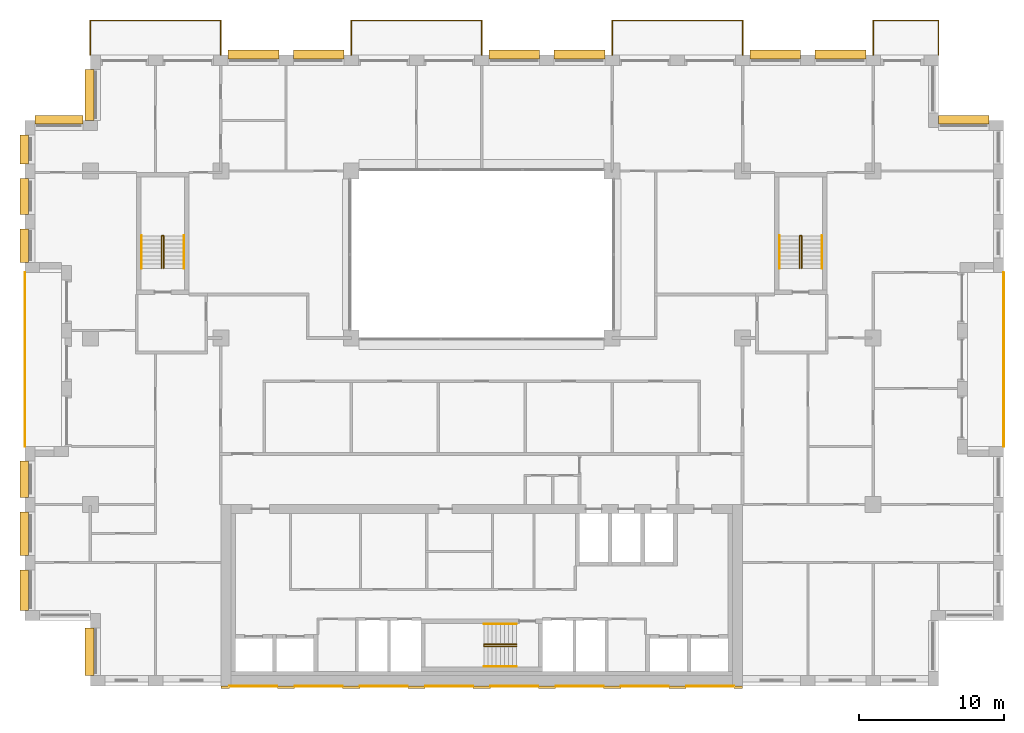
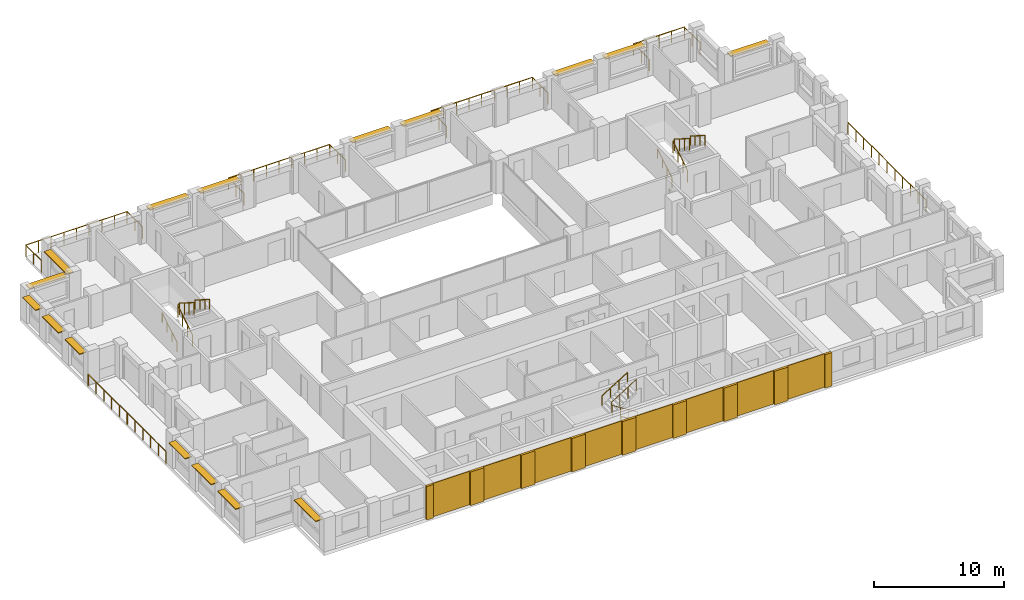
# One storey, part 15 of 15: 17 coverings, 16 shading devices, 15 railings.
"""IFC4 building model written with IfcOpenShell, lengths in metres."""

from ifc_helpers import new_model, si_unit, direction, frame, origin, origin_2d, place, context, subcontext, project, spatial, rectangle, circle, extrude, material, layer, layer_set, type_object, element, save


model = new_model("IFC4")

# Units and contexts
model_context = context("Model", 3, precision=1e-05, world=origin(), true_north=direction((0.0, 1.0)))
body_context = subcontext(model_context, "Body", "Model", "MODEL_VIEW")
ifc_project = project(units=[si_unit("LENGTHUNIT", "METRE"), si_unit("AREAUNIT", "SQUARE_METRE"), si_unit("VOLUMEUNIT", "CUBIC_METRE"), si_unit("PLANEANGLEUNIT", "RADIAN"), si_unit("MASSUNIT", "GRAM", prefix="KILO")], contexts=[model_context])

# Site, building, storey
site_placement = place(None, origin())
site = spatial("IfcSite", under=ifc_project, at=site_placement, CompositionType="ELEMENT")
building_placement = place(site_placement, origin())
building = spatial("IfcBuilding", under=site, at=building_placement, Name="Brigalow Station Residences", CompositionType="ELEMENT")
storey_placement = place(building_placement, frame((0.0, 0.0, 147.60009765625)))
storey = spatial("IfcBuildingStorey", under=building, at=storey_placement, Name="L42", CompositionType="ELEMENT", Elevation=147.60009765625)

# Railings
ifc_material_1 = material(Name="Stainless steel balustrade with laminated glass infill", Category="steel")
railing_type_1 = type_object("IfcRailingType", Name="BALCONY GUARD 1100", PredefinedType="GUARDRAIL", material=ifc_material_1)
railing_1_placement = place(storey_placement, frame((72.0, 16.5, -0.0400390625)))
element("IfcRailing", 1, at=railing_1_placement, inside=storey, type_object=railing_type_1, Name="L42/balcony-guard/1", PredefinedType="GUARDRAIL", context=body_context, shape_type="SweptSolid", body=[
    extrude(circle(Radius=0.02392578125, at=origin_2d()), frame((0.0, 0.0, 1.076171875), z_axis=(0.0, 1.0, 0.0), x_axis=(-1.0, 0.0, 0.0)), (0.0, 0.0, 1.0), 12.0),
    extrude(circle(Radius=0.02099609375, at=origin_2d()), origin(), (0.0, 0.0, 1.0), 1.052001953125),
    extrude(circle(Radius=0.02099609375, at=origin_2d()), frame((0.0, 1.199951171875, 0.0)), (0.0, 0.0, 1.0), 1.052001953125),
    extrude(circle(Radius=0.02099609375, at=origin_2d()), frame((0.0, 2.39990234375, 0.0)), (0.0, 0.0, 1.0), 1.052001953125),
    extrude(circle(Radius=0.02099609375, at=origin_2d()), frame((0.0, 3.60009765625, 0.0)), (0.0, 0.0, 1.0), 1.052001953125),
    extrude(circle(Radius=0.02099609375, at=origin_2d()), frame((0.0, 4.800048828125, 0.0)), (0.0, 0.0, 1.0), 1.052001953125),
    extrude(circle(Radius=0.02099609375, at=origin_2d()), frame((0.0, 6.0, 0.0)), (0.0, 0.0, 1.0), 1.052001953125),
    extrude(circle(Radius=0.02099609375, at=origin_2d()), frame((0.0, 7.199951171875, 0.0)), (0.0, 0.0, 1.0), 1.052001953125),
    extrude(circle(Radius=0.02099609375, at=origin_2d()), frame((0.0, 8.39990234375, 0.0)), (0.0, 0.0, 1.0), 1.052001953125),
    extrude(circle(Radius=0.02099609375, at=origin_2d()), frame((0.0, 9.60009765625, 0.0)), (0.0, 0.0, 1.0), 1.052001953125),
    extrude(circle(Radius=0.02099609375, at=origin_2d()), frame((0.0, 10.800048828125, 0.0)), (0.0, 0.0, 1.0), 1.052001953125),
    extrude(circle(Radius=0.02099609375, at=origin_2d()), frame((0.0, 12.0, 0.0)), (0.0, 0.0, 1.0), 1.052001953125),
])
railing_2_placement = place(storey_placement, frame((67.5, 43.5, -0.0400390625)))
element("IfcRailing", 2, at=railing_2_placement, inside=storey, type_object=railing_type_1, Name="L42/balcony-guard/2", PredefinedType="GUARDRAIL", context=body_context, shape_type="SweptSolid", body=[
    extrude(circle(Radius=0.02392578125, at=origin_2d()), frame((0.0, 0.0, 1.076171875), z_axis=(0.0, 1.0, 0.0), x_axis=(-1.0, 0.0, 0.0)), (0.0, 0.0, 1.0), 2.39990234375),
    extrude(circle(Radius=0.02392578125, at=origin_2d()), frame((0.0, 2.39990234375, 1.076171875), z_axis=(-1.0, 0.0, 0.0), x_axis=(0.0, -1.0, 0.0)), (0.0, 0.0, 1.0), 4.5),
    extrude(circle(Radius=0.02392578125, at=origin_2d()), frame((-4.5, 2.39990234375, 1.076171875), z_axis=(0.0, -1.0, 0.0), x_axis=(1.0, 0.0, 0.0)), (0.0, 0.0, 1.0), 2.39990234375),
    extrude(circle(Radius=0.02099609375, at=origin_2d()), origin(), (0.0, 0.0, 1.0), 1.052001953125),
    extrude(circle(Radius=0.02099609375, at=origin_2d()), frame((0.0, 1.199951171875, 0.0)), (0.0, 0.0, 1.0), 1.052001953125),
    extrude(circle(Radius=0.02099609375, at=origin_2d()), frame((0.0, 2.39990234375, 0.0)), (0.0, 0.0, 1.0), 1.052001953125),
    extrude(circle(Radius=0.02099609375, at=origin_2d()), frame((-1.125, 2.39990234375, 0.0)), (0.0, 0.0, 1.0), 1.052001953125),
    extrude(circle(Radius=0.02099609375, at=origin_2d()), frame((-2.25, 2.39990234375, 0.0)), (0.0, 0.0, 1.0), 1.052001953125),
    extrude(circle(Radius=0.02099609375, at=origin_2d()), frame((-3.375, 2.39990234375, 0.0)), (0.0, 0.0, 1.0), 1.052001953125),
    extrude(circle(Radius=0.02099609375, at=origin_2d()), frame((-4.5, 2.39990234375, 0.0)), (0.0, 0.0, 1.0), 1.052001953125),
    extrude(circle(Radius=0.02099609375, at=origin_2d()), frame((-4.5, 1.199951171875, 0.0)), (0.0, 0.0, 1.0), 1.052001953125),
    extrude(circle(Radius=0.02099609375, at=origin_2d()), frame((-4.5, 0.0, 0.0)), (0.0, 0.0, 1.0), 1.052001953125),
])
railing_3_placement = place(storey_placement, frame((54.0, 43.5, -0.0400390625)))
element("IfcRailing", 3, at=railing_3_placement, inside=storey, type_object=railing_type_1, Name="L42/balcony-guard/3", PredefinedType="GUARDRAIL", context=body_context, shape_type="SweptSolid", body=[
    extrude(circle(Radius=0.02392578125, at=origin_2d()), frame((0.0, 0.0, 1.076171875), z_axis=(0.0, 1.0, 0.0), x_axis=(-1.0, 0.0, 0.0)), (0.0, 0.0, 1.0), 2.39990234375),
    extrude(circle(Radius=0.02392578125, at=origin_2d()), frame((0.0, 2.39990234375, 1.076171875), z_axis=(-1.0, 0.0, 0.0), x_axis=(0.0, -1.0, 0.0)), (0.0, 0.0, 1.0), 9.0),
    extrude(circle(Radius=0.02392578125, at=origin_2d()), frame((-9.0, 2.39990234375, 1.076171875), z_axis=(0.0, -1.0, 0.0), x_axis=(1.0, 0.0, 0.0)), (0.0, 0.0, 1.0), 2.39990234375),
    extrude(circle(Radius=0.02099609375, at=origin_2d()), origin(), (0.0, 0.0, 1.0), 1.052001953125),
    extrude(circle(Radius=0.02099609375, at=origin_2d()), frame((0.0, 1.199951171875, 0.0)), (0.0, 0.0, 1.0), 1.052001953125),
    extrude(circle(Radius=0.02099609375, at=origin_2d()), frame((0.0, 2.39990234375, 0.0)), (0.0, 0.0, 1.0), 1.052001953125),
    extrude(circle(Radius=0.02099609375, at=origin_2d()), frame((-1.125, 2.39990234375, 0.0)), (0.0, 0.0, 1.0), 1.052001953125),
    extrude(circle(Radius=0.02099609375, at=origin_2d()), frame((-2.25, 2.39990234375, 0.0)), (0.0, 0.0, 1.0), 1.052001953125),
    extrude(circle(Radius=0.02099609375, at=origin_2d()), frame((-3.375, 2.39990234375, 0.0)), (0.0, 0.0, 1.0), 1.052001953125),
    extrude(circle(Radius=0.02099609375, at=origin_2d()), frame((-4.5, 2.39990234375, 0.0)), (0.0, 0.0, 1.0), 1.052001953125),
    extrude(circle(Radius=0.02099609375, at=origin_2d()), frame((-5.625, 2.39990234375, 0.0)), (0.0, 0.0, 1.0), 1.052001953125),
    extrude(circle(Radius=0.02099609375, at=origin_2d()), frame((-6.75, 2.39990234375, 0.0)), (0.0, 0.0, 1.0), 1.052001953125),
    extrude(circle(Radius=0.02099609375, at=origin_2d()), frame((-7.875, 2.39990234375, 0.0)), (0.0, 0.0, 1.0), 1.052001953125),
    extrude(circle(Radius=0.02099609375, at=origin_2d()), frame((-9.0, 2.39990234375, 0.0)), (0.0, 0.0, 1.0), 1.052001953125),
    extrude(circle(Radius=0.02099609375, at=origin_2d()), frame((-9.0, 1.199951171875, 0.0)), (0.0, 0.0, 1.0), 1.052001953125),
    extrude(circle(Radius=0.02099609375, at=origin_2d()), frame((-9.0, 0.0, 0.0)), (0.0, 0.0, 1.0), 1.052001953125),
])
railing_4_placement = place(storey_placement, frame((36.0, 43.5, -0.0400390625)))
element("IfcRailing", 4, at=railing_4_placement, inside=storey, type_object=railing_type_1, Name="L42/balcony-guard/4", PredefinedType="GUARDRAIL", context=body_context, shape_type="SweptSolid", body=[
    extrude(circle(Radius=0.02392578125, at=origin_2d()), frame((0.0, 0.0, 1.076171875), z_axis=(0.0, 1.0, 0.0), x_axis=(-1.0, 0.0, 0.0)), (0.0, 0.0, 1.0), 2.39990234375),
    extrude(circle(Radius=0.02392578125, at=origin_2d()), frame((0.0, 2.39990234375, 1.076171875), z_axis=(-1.0, 0.0, 0.0), x_axis=(0.0, -1.0, 0.0)), (0.0, 0.0, 1.0), 9.0),
    extrude(circle(Radius=0.02392578125, at=origin_2d()), frame((-9.0, 2.39990234375, 1.076171875), z_axis=(0.0, -1.0, 0.0), x_axis=(1.0, 0.0, 0.0)), (0.0, 0.0, 1.0), 2.39990234375),
    extrude(circle(Radius=0.02099609375, at=origin_2d()), origin(), (0.0, 0.0, 1.0), 1.052001953125),
    extrude(circle(Radius=0.02099609375, at=origin_2d()), frame((0.0, 1.199951171875, 0.0)), (0.0, 0.0, 1.0), 1.052001953125),
    extrude(circle(Radius=0.02099609375, at=origin_2d()), frame((0.0, 2.39990234375, 0.0)), (0.0, 0.0, 1.0), 1.052001953125),
    extrude(circle(Radius=0.02099609375, at=origin_2d()), frame((-1.125, 2.39990234375, 0.0)), (0.0, 0.0, 1.0), 1.052001953125),
    extrude(circle(Radius=0.02099609375, at=origin_2d()), frame((-2.25, 2.39990234375, 0.0)), (0.0, 0.0, 1.0), 1.052001953125),
    extrude(circle(Radius=0.02099609375, at=origin_2d()), frame((-3.375, 2.39990234375, 0.0)), (0.0, 0.0, 1.0), 1.052001953125),
    extrude(circle(Radius=0.02099609375, at=origin_2d()), frame((-4.5, 2.39990234375, 0.0)), (0.0, 0.0, 1.0), 1.052001953125),
    extrude(circle(Radius=0.02099609375, at=origin_2d()), frame((-5.625, 2.39990234375, 0.0)), (0.0, 0.0, 1.0), 1.052001953125),
    extrude(circle(Radius=0.02099609375, at=origin_2d()), frame((-6.75, 2.39990234375, 0.0)), (0.0, 0.0, 1.0), 1.052001953125),
    extrude(circle(Radius=0.02099609375, at=origin_2d()), frame((-7.875, 2.39990234375, 0.0)), (0.0, 0.0, 1.0), 1.052001953125),
    extrude(circle(Radius=0.02099609375, at=origin_2d()), frame((-9.0, 2.39990234375, 0.0)), (0.0, 0.0, 1.0), 1.052001953125),
    extrude(circle(Radius=0.02099609375, at=origin_2d()), frame((-9.0, 1.199951171875, 0.0)), (0.0, 0.0, 1.0), 1.052001953125),
    extrude(circle(Radius=0.02099609375, at=origin_2d()), frame((-9.0, 0.0, 0.0)), (0.0, 0.0, 1.0), 1.052001953125),
])
railing_5_placement = place(storey_placement, frame((18.0, 43.5, -0.0400390625)))
element("IfcRailing", 5, at=railing_5_placement, inside=storey, type_object=railing_type_1, Name="L42/balcony-guard/5", PredefinedType="GUARDRAIL", context=body_context, shape_type="SweptSolid", body=[
    extrude(circle(Radius=0.02392578125, at=origin_2d()), frame((0.0, 0.0, 1.076171875), z_axis=(0.0, 1.0, 0.0), x_axis=(-1.0, 0.0, 0.0)), (0.0, 0.0, 1.0), 2.39990234375),
    extrude(circle(Radius=0.02392578125, at=origin_2d()), frame((0.0, 2.39990234375, 1.076171875), z_axis=(-1.0, 0.0, 0.0), x_axis=(0.0, -1.0, 0.0)), (0.0, 0.0, 1.0), 9.0),
    extrude(circle(Radius=0.02392578125, at=origin_2d()), frame((-9.0, 2.39990234375, 1.076171875), z_axis=(0.0, -1.0, 0.0), x_axis=(1.0, 0.0, 0.0)), (0.0, 0.0, 1.0), 2.39990234375),
    extrude(circle(Radius=0.02099609375, at=origin_2d()), origin(), (0.0, 0.0, 1.0), 1.052001953125),
    extrude(circle(Radius=0.02099609375, at=origin_2d()), frame((0.0, 1.199951171875, 0.0)), (0.0, 0.0, 1.0), 1.052001953125),
    extrude(circle(Radius=0.02099609375, at=origin_2d()), frame((0.0, 2.39990234375, 0.0)), (0.0, 0.0, 1.0), 1.052001953125),
    extrude(circle(Radius=0.02099609375, at=origin_2d()), frame((-1.125, 2.39990234375, 0.0)), (0.0, 0.0, 1.0), 1.052001953125),
    extrude(circle(Radius=0.02099609375, at=origin_2d()), frame((-2.25, 2.39990234375, 0.0)), (0.0, 0.0, 1.0), 1.052001953125),
    extrude(circle(Radius=0.02099609375, at=origin_2d()), frame((-3.375, 2.39990234375, 0.0)), (0.0, 0.0, 1.0), 1.052001953125),
    extrude(circle(Radius=0.02099609375, at=origin_2d()), frame((-4.5, 2.39990234375, 0.0)), (0.0, 0.0, 1.0), 1.052001953125),
    extrude(circle(Radius=0.02099609375, at=origin_2d()), frame((-5.625, 2.39990234375, 0.0)), (0.0, 0.0, 1.0), 1.052001953125),
    extrude(circle(Radius=0.02099609375, at=origin_2d()), frame((-6.75, 2.39990234375, 0.0)), (0.0, 0.0, 1.0), 1.052001953125),
    extrude(circle(Radius=0.02099609375, at=origin_2d()), frame((-7.875, 2.39990234375, 0.0)), (0.0, 0.0, 1.0), 1.052001953125),
    extrude(circle(Radius=0.02099609375, at=origin_2d()), frame((-9.0, 2.39990234375, 0.0)), (0.0, 0.0, 1.0), 1.052001953125),
    extrude(circle(Radius=0.02099609375, at=origin_2d()), frame((-9.0, 1.199951171875, 0.0)), (0.0, 0.0, 1.0), 1.052001953125),
    extrude(circle(Radius=0.02099609375, at=origin_2d()), frame((-9.0, 0.0, 0.0)), (0.0, 0.0, 1.0), 1.052001953125),
])
railing_6_placement = place(storey_placement, frame((4.5, 28.5, -0.0400390625)))
element("IfcRailing", 6, at=railing_6_placement, inside=storey, type_object=railing_type_1, Name="L42/balcony-guard/6", PredefinedType="GUARDRAIL", context=body_context, shape_type="SweptSolid", body=[
    extrude(circle(Radius=0.02392578125, at=origin_2d()), frame((0.0, 0.0, 1.076171875), z_axis=(0.0, -1.0, 0.0), x_axis=(1.0, 0.0, 0.0)), (0.0, 0.0, 1.0), 12.0),
    extrude(circle(Radius=0.02099609375, at=origin_2d()), origin(), (0.0, 0.0, 1.0), 1.052001953125),
    extrude(circle(Radius=0.02099609375, at=origin_2d()), frame((0.0, -1.199951171875, 0.0)), (0.0, 0.0, 1.0), 1.052001953125),
    extrude(circle(Radius=0.02099609375, at=origin_2d()), frame((0.0, -2.39990234375, 0.0)), (0.0, 0.0, 1.0), 1.052001953125),
    extrude(circle(Radius=0.02099609375, at=origin_2d()), frame((0.0, -3.60009765625, 0.0)), (0.0, 0.0, 1.0), 1.052001953125),
    extrude(circle(Radius=0.02099609375, at=origin_2d()), frame((0.0, -4.800048828125, 0.0)), (0.0, 0.0, 1.0), 1.052001953125),
    extrude(circle(Radius=0.02099609375, at=origin_2d()), frame((0.0, -6.0, 0.0)), (0.0, 0.0, 1.0), 1.052001953125),
    extrude(circle(Radius=0.02099609375, at=origin_2d()), frame((0.0, -7.199951171875, 0.0)), (0.0, 0.0, 1.0), 1.052001953125),
    extrude(circle(Radius=0.02099609375, at=origin_2d()), frame((0.0, -8.39990234375, 0.0)), (0.0, 0.0, 1.0), 1.052001953125),
    extrude(circle(Radius=0.02099609375, at=origin_2d()), frame((0.0, -9.60009765625, 0.0)), (0.0, 0.0, 1.0), 1.052001953125),
    extrude(circle(Radius=0.02099609375, at=origin_2d()), frame((0.0, -10.800048828125, 0.0)), (0.0, 0.0, 1.0), 1.052001953125),
    extrude(circle(Radius=0.02099609375, at=origin_2d()), frame((0.0, -12.0, 0.0)), (0.0, 0.0, 1.0), 1.052001953125),
])

# Coverings
ifc_material_2 = material(Name="Clay brick masonry", Category="masonry")
ifc_layer_1 = layer(ifc_material_2, 0.06005859375)
ifc_layer_set_1 = layer_set([ifc_layer_1], Name="BRICK PANEL FACING 60")
covering_type_1 = type_object("IfcCoveringType", Name="BRICK PANEL FACING 60", PredefinedType="CLADDING", material=ifc_layer_set_1)
for number, where, z_axis, x_axis, name in (
    (7, (20.25, -0.030029296875, 0.0), (0.0, 0.0, 1.0), (1.0, 0.0, 0.0), "L42/rear-facing/panel-1"),
    (8, (24.75, -0.030029296875, 0.0), (0.0, 0.0, 1.0), (1.0, 0.0, 0.0), "L42/rear-facing/panel-2"),
    (9, (29.25, -0.030029296875, 0.0), (0.0, 0.0, 1.0), (1.0, 0.0, 0.0), "L42/rear-facing/panel-3"),
    (10, (33.75, -0.030029296875, 0.0), (0.0, 0.0, 1.0), (1.0, 0.0, 0.0), "L42/rear-facing/panel-4"),
    (11, (38.25, -0.030029296875, 0.0), (0.0, 0.0, 1.0), (1.0, 0.0, 0.0), "L42/rear-facing/panel-5"),
    (12, (42.75, -0.030029296875, 0.0), (0.0, 0.0, 1.0), (1.0, 0.0, 0.0), "L42/rear-facing/panel-6"),
    (13, (47.25, -0.030029296875, 0.0), (0.0, 0.0, 1.0), (1.0, 0.0, 0.0), "L42/rear-facing/panel-7"),
    (14, (51.75, -0.030029296875, 0.0), (0.0, 0.0, 1.0), (1.0, 0.0, 0.0), "L42/rear-facing/panel-8"),
):
    element("IfcCovering", number, at=place(storey_placement, frame(where, z_axis=z_axis, x_axis=x_axis)), inside=storey, type_object=covering_type_1, Name=name, PredefinedType="CLADDING", context=body_context, shape_type="SweptSolid", body=[
        extrude(rectangle(XDim=3.300048828125, YDim=0.06005859375, at=origin_2d()), origin(), (0.0, 0.0, 1.0), 3.14990234375),
    ])
ifc_material_3 = material(Name="Clay brick masonry", Category="masonry")
ifc_layer_2 = layer(ifc_material_3, 0.199951171875)
ifc_layer_set_2 = layer_set([ifc_layer_2], Name="BRICK PIER FACING 200")
covering_type_2 = type_object("IfcCoveringType", Name="BRICK PIER FACING 200", PredefinedType="CLADDING", material=ifc_layer_set_2)
covering_1_placement = place(storey_placement, frame((18.300048828125, -0.10009765625, 0.0), z_axis=(0.0, 0.0, 1.0), x_axis=(1.0, 0.0, 0.0)))
element("IfcCovering", 15, at=covering_1_placement, inside=storey, type_object=covering_type_2, Name="L42/rear-facing/pier-1", PredefinedType="CLADDING", context=body_context, shape_type="SweptSolid", body=[
    extrude(rectangle(XDim=0.60009765625, YDim=0.199951171875, at=origin_2d()), origin(), (0.0, 0.0, 1.0), 3.14990234375),
])
for number, where, z_axis, x_axis, name in (
    (16, (22.5, -0.10009765625, 0.0), (0.0, 0.0, 1.0), (1.0, 0.0, 0.0), "L42/rear-facing/pier-2"),
    (17, (27.0, -0.10009765625, 0.0), (0.0, 0.0, 1.0), (1.0, 0.0, 0.0), "L42/rear-facing/pier-3"),
    (18, (31.5, -0.10009765625, 0.0), (0.0, 0.0, 1.0), (1.0, 0.0, 0.0), "L42/rear-facing/pier-4"),
    (19, (36.0, -0.10009765625, 0.0), (0.0, 0.0, 1.0), (1.0, 0.0, 0.0), "L42/rear-facing/pier-5"),
    (20, (40.5, -0.10009765625, 0.0), (0.0, 0.0, 1.0), (1.0, 0.0, 0.0), "L42/rear-facing/pier-6"),
    (21, (45.0, -0.10009765625, 0.0), (0.0, 0.0, 1.0), (1.0, 0.0, 0.0), "L42/rear-facing/pier-7"),
    (22, (49.5, -0.10009765625, 0.0), (0.0, 0.0, 1.0), (1.0, 0.0, 0.0), "L42/rear-facing/pier-8"),
):
    element("IfcCovering", number, at=place(storey_placement, frame(where, z_axis=z_axis, x_axis=x_axis)), inside=storey, type_object=covering_type_2, Name=name, PredefinedType="CLADDING", context=body_context, shape_type="SweptSolid", body=[
        extrude(rectangle(XDim=1.199951171875, YDim=0.199951171875, at=origin_2d()), origin(), (0.0, 0.0, 1.0), 3.14990234375),
    ])
covering_2_placement = place(storey_placement, frame((53.699951171875, -0.10009765625, 0.0), z_axis=(0.0, 0.0, 1.0), x_axis=(1.0, 0.0, 0.0)))
element("IfcCovering", 23, at=covering_2_placement, inside=storey, type_object=covering_type_2, Name="L42/rear-facing/pier-9", PredefinedType="CLADDING", context=body_context, shape_type="SweptSolid", body=[
    extrude(rectangle(XDim=0.60009765625, YDim=0.199951171875, at=origin_2d()), origin(), (0.0, 0.0, 1.0), 3.14990234375),
])

# Railings
ifc_material_4 = material(Name="Stainless steel balustrade", Category="steel")
railing_type_2 = type_object("IfcRailingType", Name="STAIR GUARD 1100", PredefinedType="GUARDRAIL", material=ifc_material_4)
railing_7_placement = place(storey_placement, frame((38.39990234375, 2.72998046875, 0.1748046875)))
element("IfcRailing", 24, at=railing_7_placement, inside=storey, type_object=railing_type_2, Name="GUARD GR-2", PredefinedType="GUARDRAIL", context=body_context, shape_type="SweptSolid", body=[
    extrude(circle(Radius=0.02392578125, at=origin_2d()), frame((0.0, 0.0, 1.076171875), z_axis=(-0.847972341737, 0.0, 0.530040477369), x_axis=(0.0, -1.0, 0.0)), (0.0, 0.0, 1.0), 2.6416015625),
    extrude(circle(Radius=0.02392578125, at=origin_2d()), frame((-2.239990234375, 0.0, 2.47607421875), z_axis=(0.0, 0.624960567888, 0.780656319122), x_axis=(-1.0, 0.0, 0.0)), (0.0, 0.0, 1.0), 0.22412109375),
    extrude(circle(Radius=0.02392578125, at=origin_2d()), frame((-2.239990234375, 0.14013671875, 2.6513671875), z_axis=(0.848013881152, 0.0, 0.529974015752), x_axis=(0.0, 1.0, 0.0)), (0.0, 0.0, 1.0), 2.641357421875),
    extrude(circle(Radius=0.02099609375, at=origin_2d()), origin(), (0.0, 0.0, 1.0), 1.052001953125),
    extrude(circle(Radius=0.02099609375, at=origin_2d()), frame((-0.74658203125, 0.0, 0.466796875)), (0.0, 0.0, 1.0), 1.052001953125),
    extrude(circle(Radius=0.02099609375, at=origin_2d()), frame((-1.493408203125, 0.0, 0.933349609375)), (0.0, 0.0, 1.0), 1.052001953125),
    extrude(circle(Radius=0.02099609375, at=origin_2d()), frame((-2.239990234375, 0.0, 1.400146484375)), (0.0, 0.0, 1.0), 1.052001953125),
    extrude(circle(Radius=0.02099609375, at=origin_2d()), frame((-2.239990234375, 0.14013671875, 1.5751953125)), (0.0, 0.0, 1.0), 1.052001953125),
    extrude(circle(Radius=0.02099609375, at=origin_2d()), frame((-1.493408203125, 0.14013671875, 2.041748046875)), (0.0, 0.0, 1.0), 1.052001953125),
    extrude(circle(Radius=0.02099609375, at=origin_2d()), frame((-0.74658203125, 0.14013671875, 2.508544921875)), (0.0, 0.0, 1.0), 1.052001953125),
    extrude(circle(Radius=0.02099609375, at=origin_2d()), frame((0.0, 0.14013671875, 2.97509765625)), (0.0, 0.0, 1.0), 1.052001953125),
])
for number, where, name in (
    (25, (13.929931640625, 28.800048828125, 0.1748046875), "GUARD GR-1"),
    (26, (57.929931640625, 28.800048828125, 0.1748046875), "GUARD GR-3"),
):
    element("IfcRailing", number, at=place(storey_placement, frame(where)), inside=storey, type_object=railing_type_2, Name=name, PredefinedType="GUARDRAIL", context=body_context, shape_type="SweptSolid", body=[
        extrude(circle(Radius=0.02392578125, at=origin_2d()), frame((0.0, 0.0, 1.076171875), z_axis=(0.0, 0.847972341737, 0.530040477369), x_axis=(-1.0, 0.0, 0.0)), (0.0, 0.0, 1.0), 2.6416015625),
        extrude(circle(Radius=0.02392578125, at=origin_2d()), frame((0.0, 2.239990234375, 2.47607421875), z_axis=(0.624960567888, 0.0, 0.780656319122), x_axis=(0.0, 1.0, 0.0)), (0.0, 0.0, 1.0), 0.22412109375),
        extrude(circle(Radius=0.02392578125, at=origin_2d()), frame((0.14013671875, 2.239990234375, 2.6513671875), z_axis=(0.0, -0.848013881152, 0.529974015752), x_axis=(1.0, 0.0, 0.0)), (0.0, 0.0, 1.0), 2.641357421875),
        extrude(circle(Radius=0.02099609375, at=origin_2d()), origin(), (0.0, 0.0, 1.0), 1.052001953125),
        extrude(circle(Radius=0.02099609375, at=origin_2d()), frame((0.0, 0.74658203125, 0.466796875)), (0.0, 0.0, 1.0), 1.052001953125),
        extrude(circle(Radius=0.02099609375, at=origin_2d()), frame((0.0, 1.493408203125, 0.933349609375)), (0.0, 0.0, 1.0), 1.052001953125),
        extrude(circle(Radius=0.02099609375, at=origin_2d()), frame((0.0, 2.239990234375, 1.400146484375)), (0.0, 0.0, 1.0), 1.052001953125),
        extrude(circle(Radius=0.02099609375, at=origin_2d()), frame((0.14013671875, 2.239990234375, 1.5751953125)), (0.0, 0.0, 1.0), 1.052001953125),
        extrude(circle(Radius=0.02099609375, at=origin_2d()), frame((0.14013671875, 1.493408203125, 2.041748046875)), (0.0, 0.0, 1.0), 1.052001953125),
        extrude(circle(Radius=0.02099609375, at=origin_2d()), frame((0.14013671875, 0.74658203125, 2.508544921875)), (0.0, 0.0, 1.0), 1.052001953125),
        extrude(circle(Radius=0.02099609375, at=origin_2d()), frame((0.14013671875, 0.0, 2.97509765625)), (0.0, 0.0, 1.0), 1.052001953125),
    ])
ifc_material_5 = material(Name="Stainless steel handrail", Category="steel")
railing_type_3 = type_object("IfcRailingType", Name="STAIR HANDRAIL 900", PredefinedType="HANDRAIL", material=ifc_material_5)
railing_8_placement = place(storey_placement, frame((38.39990234375, 1.340087890625, 0.1748046875)))
element("IfcRailing", 27, at=railing_8_placement, inside=storey, type_object=railing_type_3, Name="HANDRAIL HR-21", PredefinedType="HANDRAIL", context=body_context, shape_type="SweptSolid", body=[
    extrude(circle(Radius=0.02392578125, at=origin_2d()), frame((0.0, 0.0, 0.8759765625), z_axis=(-0.847972341737, 0.0, 0.530040477369), x_axis=(0.0, -1.0, 0.0)), (0.0, 0.0, 1.0), 2.6416015625),
    extrude(circle(Radius=0.02099609375, at=origin_2d()), origin(), (0.0, 0.0, 1.0), 0.851806640625),
    extrude(circle(Radius=0.02099609375, at=origin_2d()), frame((-0.74658203125, 0.0, 0.466796875)), (0.0, 0.0, 1.0), 0.851806640625),
    extrude(circle(Radius=0.02099609375, at=origin_2d()), frame((-1.493408203125, 0.0, 0.933349609375)), (0.0, 0.0, 1.0), 0.851806640625),
    extrude(circle(Radius=0.02099609375, at=origin_2d()), frame((-2.239990234375, 0.0, 1.400146484375)), (0.0, 0.0, 1.0), 0.851806640625),
])
railing_9_placement = place(storey_placement, frame((36.159912109375, 4.260009765625, 1.75)))
element("IfcRailing", 28, at=railing_9_placement, inside=storey, type_object=railing_type_3, Name="HANDRAIL HR-22", PredefinedType="HANDRAIL", context=body_context, shape_type="SweptSolid", body=[
    extrude(circle(Radius=0.02392578125, at=origin_2d()), frame((0.0, 0.0, 0.8759765625), z_axis=(0.848013881152, 0.0, 0.529974015752), x_axis=(0.0, 1.0, 0.0)), (0.0, 0.0, 1.0), 2.641357421875),
    extrude(circle(Radius=0.02099609375, at=origin_2d()), origin(), (0.0, 0.0, 1.0), 0.851806640625),
    extrude(circle(Radius=0.02099609375, at=origin_2d()), frame((0.74658203125, 0.0, 0.466552734375)), (0.0, 0.0, 1.0), 0.851806640625),
    extrude(circle(Radius=0.02099609375, at=origin_2d()), frame((1.493408203125, 0.0, 0.933349609375)), (0.0, 0.0, 1.0), 0.851806640625),
    extrude(circle(Radius=0.02099609375, at=origin_2d()), frame((2.239990234375, 0.0, 1.39990234375)), (0.0, 0.0, 1.0), 0.851806640625),
])
railing_10_placement = place(storey_placement, frame((12.5400390625, 28.800048828125, 0.1748046875)))
element("IfcRailing", 29, at=railing_10_placement, inside=storey, type_object=railing_type_3, Name="HANDRAIL HR-11", PredefinedType="HANDRAIL", context=body_context, shape_type="SweptSolid", body=[
    extrude(circle(Radius=0.02392578125, at=origin_2d()), frame((0.0, 0.0, 0.8759765625), z_axis=(0.0, 0.847972341737, 0.530040477369), x_axis=(-1.0, 0.0, 0.0)), (0.0, 0.0, 1.0), 2.6416015625),
    extrude(circle(Radius=0.02099609375, at=origin_2d()), origin(), (0.0, 0.0, 1.0), 0.851806640625),
    extrude(circle(Radius=0.02099609375, at=origin_2d()), frame((0.0, 0.74658203125, 0.466796875)), (0.0, 0.0, 1.0), 0.851806640625),
    extrude(circle(Radius=0.02099609375, at=origin_2d()), frame((0.0, 1.493408203125, 0.933349609375)), (0.0, 0.0, 1.0), 0.851806640625),
    extrude(circle(Radius=0.02099609375, at=origin_2d()), frame((0.0, 2.239990234375, 1.400146484375)), (0.0, 0.0, 1.0), 0.851806640625),
])
railing_11_placement = place(storey_placement, frame((15.4599609375, 31.0400390625, 1.75)))
element("IfcRailing", 30, at=railing_11_placement, inside=storey, type_object=railing_type_3, Name="HANDRAIL HR-12", PredefinedType="HANDRAIL", context=body_context, shape_type="SweptSolid", body=[
    extrude(circle(Radius=0.02392578125, at=origin_2d()), frame((0.0, 0.0, 0.8759765625), z_axis=(0.0, -0.848013881152, 0.529974015752), x_axis=(1.0, 0.0, 0.0)), (0.0, 0.0, 1.0), 2.641357421875),
    extrude(circle(Radius=0.02099609375, at=origin_2d()), origin(), (0.0, 0.0, 1.0), 0.851806640625),
    extrude(circle(Radius=0.02099609375, at=origin_2d()), frame((0.0, -0.74658203125, 0.466552734375)), (0.0, 0.0, 1.0), 0.851806640625),
    extrude(circle(Radius=0.02099609375, at=origin_2d()), frame((0.0, -1.493408203125, 0.933349609375)), (0.0, 0.0, 1.0), 0.851806640625),
    extrude(circle(Radius=0.02099609375, at=origin_2d()), frame((0.0, -2.239990234375, 1.39990234375)), (0.0, 0.0, 1.0), 0.851806640625),
])
railing_12_placement = place(storey_placement, frame((56.5400390625, 28.800048828125, 0.1748046875)))
element("IfcRailing", 31, at=railing_12_placement, inside=storey, type_object=railing_type_3, Name="HANDRAIL HR-31", PredefinedType="HANDRAIL", context=body_context, shape_type="SweptSolid", body=[
    extrude(circle(Radius=0.02392578125, at=origin_2d()), frame((0.0, 0.0, 0.8759765625), z_axis=(0.0, 0.847972341737, 0.530040477369), x_axis=(-1.0, 0.0, 0.0)), (0.0, 0.0, 1.0), 2.6416015625),
    extrude(circle(Radius=0.02099609375, at=origin_2d()), origin(), (0.0, 0.0, 1.0), 0.851806640625),
    extrude(circle(Radius=0.02099609375, at=origin_2d()), frame((0.0, 0.74658203125, 0.466796875)), (0.0, 0.0, 1.0), 0.851806640625),
    extrude(circle(Radius=0.02099609375, at=origin_2d()), frame((0.0, 1.493408203125, 0.933349609375)), (0.0, 0.0, 1.0), 0.851806640625),
    extrude(circle(Radius=0.02099609375, at=origin_2d()), frame((0.0, 2.239990234375, 1.400146484375)), (0.0, 0.0, 1.0), 0.851806640625),
])
railing_13_placement = place(storey_placement, frame((59.4599609375, 31.0400390625, 1.75)))
element("IfcRailing", 32, at=railing_13_placement, inside=storey, type_object=railing_type_3, Name="HANDRAIL HR-32", PredefinedType="HANDRAIL", context=body_context, shape_type="SweptSolid", body=[
    extrude(circle(Radius=0.02392578125, at=origin_2d()), frame((0.0, 0.0, 0.8759765625), z_axis=(0.0, -0.848013881152, 0.529974015752), x_axis=(1.0, 0.0, 0.0)), (0.0, 0.0, 1.0), 2.641357421875),
    extrude(circle(Radius=0.02099609375, at=origin_2d()), origin(), (0.0, 0.0, 1.0), 0.851806640625),
    extrude(circle(Radius=0.02099609375, at=origin_2d()), frame((0.0, -0.74658203125, 0.466552734375)), (0.0, 0.0, 1.0), 0.851806640625),
    extrude(circle(Radius=0.02099609375, at=origin_2d()), frame((0.0, -1.493408203125, 0.933349609375)), (0.0, 0.0, 1.0), 0.851806640625),
    extrude(circle(Radius=0.02099609375, at=origin_2d()), frame((0.0, -2.239990234375, 1.39990234375)), (0.0, 0.0, 1.0), 0.851806640625),
])

# Shading devices
ifc_material_6 = material(Name="Powder-coated extruded aluminium blade", Category="aluminium")
ifc_layer_3 = layer(ifc_material_6, 0.080078125)
ifc_layer_set_3 = layer_set([ifc_layer_3], Name="SUNSHADE BLADE 600x80")
shading_device_type = type_object("IfcShadingDeviceType", Name="SUNSHADE BLADE 600x80", PredefinedType="JALOUSIE", material=ifc_layer_set_3)
for number, where, z_axis, x_axis, name in (
    (33, (69.25, 39.050048828125, 2.5498046875), (0.0, 0.0, 1.0), (-1.0, 0.0, 0.0), "L42/blade/W-L42-20"),
    (34, (60.75, 43.550048828125, 2.5498046875), (0.0, 0.0, 1.0), (-1.0, 0.0, 0.0), "L42/blade/W-L42-23"),
    (35, (56.25, 43.550048828125, 2.5498046875), (0.0, 0.0, 1.0), (-1.0, 0.0, 0.0), "L42/blade/W-L42-24"),
    (36, (42.75, 43.550048828125, 2.5498046875), (0.0, 0.0, 1.0), (-1.0, 0.0, 0.0), "L42/blade/W-L42-27"),
    (37, (38.25, 43.550048828125, 2.5498046875), (0.0, 0.0, 1.0), (-1.0, 0.0, 0.0), "L42/blade/W-L42-28"),
    (38, (24.75, 43.550048828125, 2.5498046875), (0.0, 0.0, 1.0), (-1.0, 0.0, 0.0), "L42/blade/W-L42-31"),
    (39, (20.25, 43.550048828125, 2.5498046875), (0.0, 0.0, 1.0), (-1.0, 0.0, 0.0), "L42/blade/W-L42-32"),
    (40, (8.949951171875, 40.75, 2.5498046875), (0.0, 0.0, 1.0), (0.0, -1.0, 0.0), "L42/blade/W-L42-35"),
):
    element("IfcShadingDevice", number, at=place(storey_placement, frame(where, z_axis=z_axis, x_axis=x_axis)), inside=storey, type_object=shading_device_type, Name=name, PredefinedType="JALOUSIE", context=body_context, shape_type="SweptSolid", body=[
        extrude(rectangle(XDim=3.5, YDim=0.60009765625, at=origin_2d()), origin(), (0.0, 0.0, 1.0), 0.080078125),
    ])
shading_device_1_placement = place(storey_placement, frame((6.85009765625, 39.050048828125, 2.5498046875), z_axis=(0.0, 0.0, 1.0), x_axis=(-1.0, 0.0, 0.0)))
element("IfcShadingDevice", 41, at=shading_device_1_placement, inside=storey, type_object=shading_device_type, Name="L42/blade/W-L42-36", PredefinedType="JALOUSIE", context=body_context, shape_type="SweptSolid", body=[
    extrude(rectangle(XDim=3.300048828125, YDim=0.60009765625, at=origin_2d()), origin(), (0.0, 0.0, 1.0), 0.080078125),
])
shading_device_2_placement = place(storey_placement, frame((4.449951171875, 37.0, 2.5498046875), z_axis=(0.0, 0.0, 1.0), x_axis=(0.0, -1.0, 0.0)))
element("IfcShadingDevice", 42, at=shading_device_2_placement, inside=storey, type_object=shading_device_type, Name="L42/blade/W-L42-37", PredefinedType="JALOUSIE", context=body_context, shape_type="SweptSolid", body=[
    extrude(rectangle(XDim=2.0, YDim=0.60009765625, at=origin_2d()), origin(), (0.0, 0.0, 1.0), 0.080078125),
])
shading_device_3_placement = place(storey_placement, frame((4.449951171875, 33.75, 2.5498046875), z_axis=(0.0, 0.0, 1.0), x_axis=(0.0, -1.0, 0.0)))
element("IfcShadingDevice", 43, at=shading_device_3_placement, inside=storey, type_object=shading_device_type, Name="L42/blade/W-L42-38", PredefinedType="JALOUSIE", context=body_context, shape_type="SweptSolid", body=[
    extrude(rectangle(XDim=2.5, YDim=0.60009765625, at=origin_2d()), origin(), (0.0, 0.0, 1.0), 0.080078125),
])
shading_device_4_placement = place(storey_placement, frame((4.449951171875, 30.35009765625, 2.5498046875), z_axis=(0.0, 0.0, 1.0), x_axis=(0.0, -1.0, 0.0)))
element("IfcShadingDevice", 44, at=shading_device_4_placement, inside=storey, type_object=shading_device_type, Name="L42/blade/W-L42-39", PredefinedType="JALOUSIE", context=body_context, shape_type="SweptSolid", body=[
    extrude(rectangle(XDim=2.300048828125, YDim=0.60009765625, at=origin_2d()), origin(), (0.0, 0.0, 1.0), 0.080078125),
])
shading_device_5_placement = place(storey_placement, frame((4.449951171875, 14.25, 2.5498046875), z_axis=(0.0, 0.0, 1.0), x_axis=(0.0, -1.0, 0.0)))
element("IfcShadingDevice", 45, at=shading_device_5_placement, inside=storey, type_object=shading_device_type, Name="L42/blade/W-L42-45", PredefinedType="JALOUSIE", context=body_context, shape_type="SweptSolid", body=[
    extrude(rectangle(XDim=2.5, YDim=0.60009765625, at=origin_2d()), origin(), (0.0, 0.0, 1.0), 0.080078125),
])
shading_device_6_placement = place(storey_placement, frame((4.449951171875, 10.5, 2.5498046875), z_axis=(0.0, 0.0, 1.0), x_axis=(0.0, -1.0, 0.0)))
element("IfcShadingDevice", 46, at=shading_device_6_placement, inside=storey, type_object=shading_device_type, Name="L42/blade/W-L42-46", PredefinedType="JALOUSIE", context=body_context, shape_type="SweptSolid", body=[
    extrude(rectangle(XDim=3.0, YDim=0.60009765625, at=origin_2d()), origin(), (0.0, 0.0, 1.0), 0.080078125),
])
shading_device_7_placement = place(storey_placement, frame((4.449951171875, 6.60009765625, 2.5498046875), z_axis=(0.0, 0.0, 1.0), x_axis=(0.0, -1.0, 0.0)))
element("IfcShadingDevice", 47, at=shading_device_7_placement, inside=storey, type_object=shading_device_type, Name="L42/blade/W-L42-47", PredefinedType="JALOUSIE", context=body_context, shape_type="SweptSolid", body=[
    extrude(rectangle(XDim=2.800048828125, YDim=0.60009765625, at=origin_2d()), origin(), (0.0, 0.0, 1.0), 0.080078125),
])
shading_device_8_placement = place(storey_placement, frame((8.949951171875, 2.35009765625, 2.5498046875), z_axis=(0.0, 0.0, 1.0), x_axis=(0.0, -1.0, 0.0)))
element("IfcShadingDevice", 48, at=shading_device_8_placement, inside=storey, type_object=shading_device_type, Name="L42/blade/W-L42-49", PredefinedType="JALOUSIE", context=body_context, shape_type="SweptSolid", body=[
    extrude(rectangle(XDim=3.300048828125, YDim=0.60009765625, at=origin_2d()), origin(), (0.0, 0.0, 1.0), 0.080078125),
])

save(model, "model.ifc")
